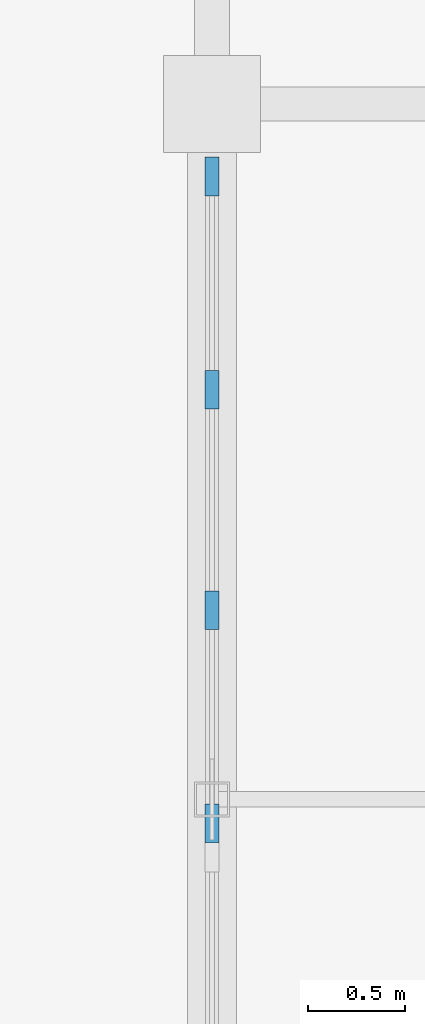
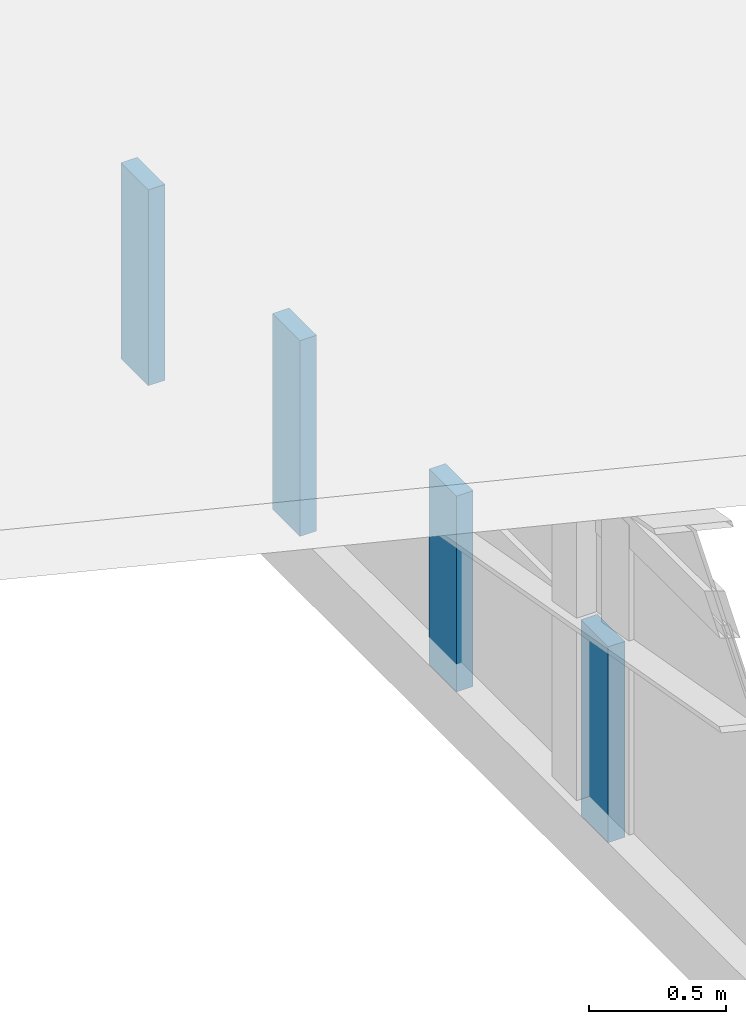
# One storey, part 57 of 105: 4 members, 1 element without a shape of its own.
"""IFC4 building model written with IfcOpenShell, lengths in metres."""

from ifc_helpers import new_model, si_unit, direction, frame, origin, origin_2d, place, context, subcontext, project, spatial, rectangle, extrude, material, material_profile, profile_set, type_object, element, aggregate, save


model = new_model("IFC4")

# Units and contexts
model_context = context("Model", 3, precision=1e-05, world=origin(), true_north=direction((0.0, 1.0)))
body_context = subcontext(model_context, "Body", "Model", "MODEL_VIEW")
ifc_project = project(units=[si_unit("LENGTHUNIT", "METRE"), si_unit("AREAUNIT", "SQUARE_METRE"), si_unit("VOLUMEUNIT", "CUBIC_METRE"), si_unit("PLANEANGLEUNIT", "RADIAN"), si_unit("MASSUNIT", "GRAM", prefix="KILO")], contexts=[model_context])

# Site, building, storey
site_placement = place(None, origin())
site = spatial("IfcSite", under=ifc_project, at=site_placement, CompositionType="ELEMENT")
building_placement = place(site_placement, origin())
building = spatial("IfcBuilding", under=site, at=building_placement, Name="Corveleigh Park Community Centre", CompositionType="ELEMENT")
storey_placement = place(building_placement, frame((0.0, 0.0, 8.699951171875)))
storey = spatial("IfcBuildingStorey", under=building, at=storey_placement, Name="L02", CompositionType="ELEMENT", Elevation=8.699951171875)

# Curtain wall, members
ifc_material = material(Name="Anodised aluminium 6063-T6", Category="aluminium")
curtain_wall_type = type_object("IfcCurtainWallType", Name="CW-SYS-V2-HALL", PredefinedType="NOTDEFINED", material=ifc_material)
curtain_wall_placement = place(storey_placement, origin())
curtain_wall = element("IfcCurtainWall", 1, at=curtain_wall_placement, inside=storey, type_object=curtain_wall_type, Name="Sports Hall W Gable Clerestory 6", PredefinedType="NOTDEFINED")
ifc_material_profile = material_profile(ifc_material, rectangle(XDim=0.070068359375, YDim=0.199951171875, at=origin_2d()), Name="ALU-M70x200", Category="aluminium")
ifc_profile_set = profile_set([ifc_material_profile], Name="Anodised aluminium 6063-T6")
member_type = type_object("IfcMemberType", Name="CWM-70x200", PredefinedType="MULLION", material=ifc_profile_set)
member_1_placement = place(storey_placement, frame((11.199951171875, 110.675048828125, 0.0), z_axis=(0.0, 0.0, 1.0), x_axis=(-1.0, 0.0, 0.0)))
member_1 = element("IfcMember", 2, at=member_1_placement, type_object=member_type, Name="CW04 mullion 1", PredefinedType="MULLION", context=body_context, shape_type="SweptSolid", body=[
    extrude(rectangle(XDim=0.070068359375, YDim=0.199951171875, at=origin_2d()), origin(), (0.0, 0.0, 1.0), 0.87109375),
])
member_2_placement = place(storey_placement, frame((11.199951171875, 111.780029296875, 0.0), z_axis=(0.0, 0.0, 1.0), x_axis=(-1.0, 0.0, 0.0)))
member_2 = element("IfcMember", 3, at=member_2_placement, type_object=member_type, Name="CW04 mullion 2", PredefinedType="MULLION", context=body_context, shape_type="SweptSolid", body=[
    extrude(rectangle(XDim=0.070068359375, YDim=0.199951171875, at=origin_2d()), origin(), (0.0, 0.0, 1.0), 0.87109375),
])
member_3_placement = place(storey_placement, frame((11.199951171875, 112.919921875, 0.0), z_axis=(0.0, 0.0, 1.0), x_axis=(-1.0, 0.0, 0.0)))
member_3 = element("IfcMember", 4, at=member_3_placement, type_object=member_type, Name="CW04 mullion 3", PredefinedType="MULLION", context=body_context, shape_type="SweptSolid", body=[
    extrude(rectangle(XDim=0.070068359375, YDim=0.199951171875, at=origin_2d()), origin(), (0.0, 0.0, 1.0), 0.87109375),
])
member_4_placement = place(storey_placement, frame((11.199951171875, 114.02490234375, 0.0), z_axis=(0.0, 0.0, 1.0), x_axis=(-1.0, 0.0, 0.0)))
member_4 = element("IfcMember", 5, at=member_4_placement, type_object=member_type, Name="CW04 mullion 4", PredefinedType="MULLION", context=body_context, shape_type="SweptSolid", body=[
    extrude(rectangle(XDim=0.070068359375, YDim=0.199951171875, at=origin_2d()), origin(), (0.0, 0.0, 1.0), 0.87109375),
])
aggregate(curtain_wall, [member_1, member_2, member_3, member_4])

save(model, "model.ifc")
